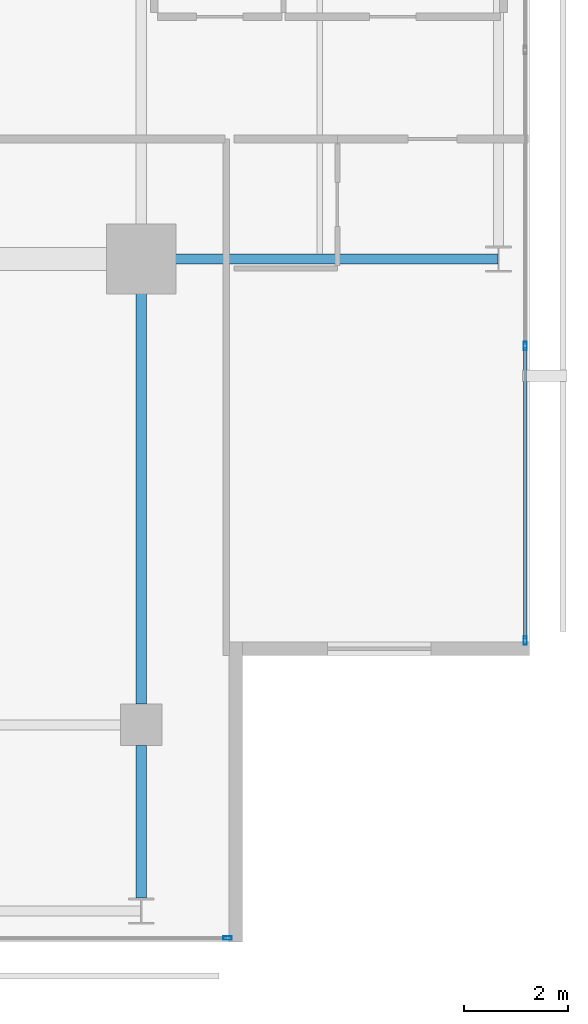
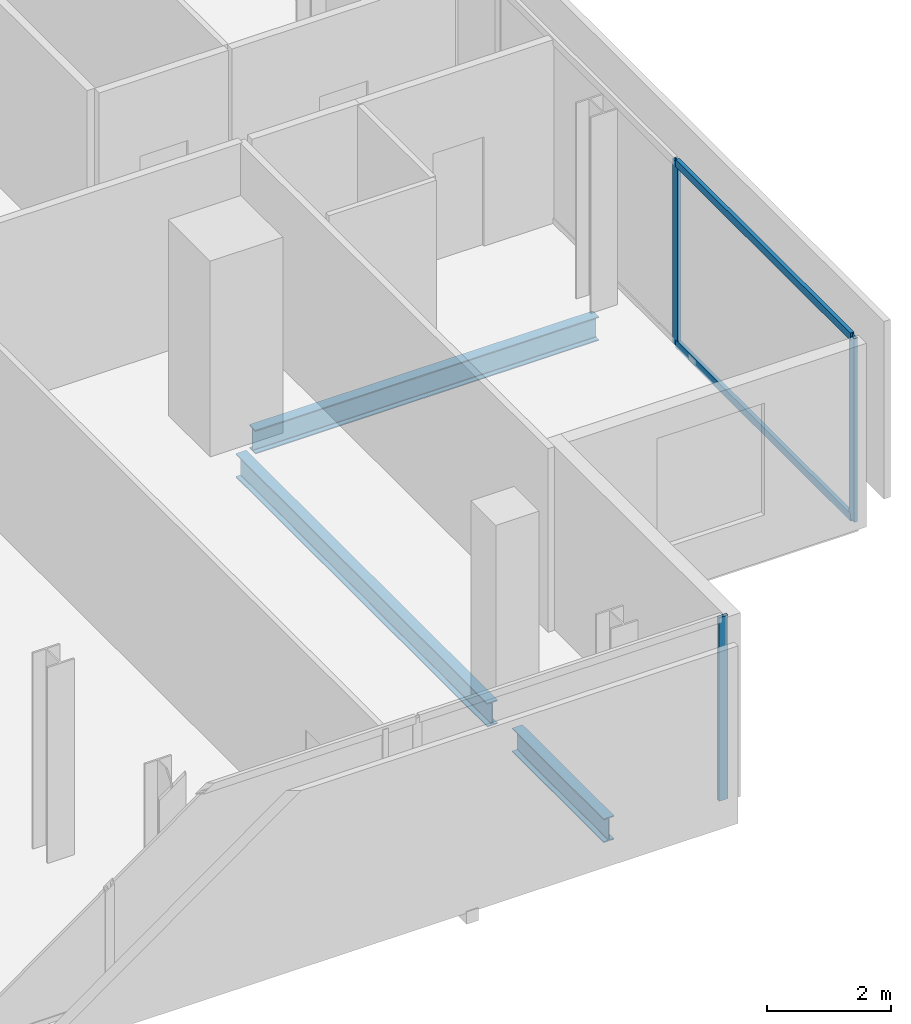
# One storey, part 11 of 23: 5 members, 3 beams, 2 elements without a shape of their own.
"""IFC4 building model written with IfcOpenShell, lengths in metres."""

from ifc_helpers import new_model, si_unit, direction, frame, origin, origin_2d, place, context, subcontext, project, spatial, hollow_rectangle, i_section, extrude, material, layer, layer_set, material_profile, profile_set, type_object, element, aggregate, save


model = new_model("IFC4")

# Units and contexts
model_context = context("Model", 3, precision=1e-05, world=origin(), true_north=direction((0.0, 1.0)))
body_context = subcontext(model_context, "Body", "Model", "MODEL_VIEW")
ifc_project = project(units=[si_unit("LENGTHUNIT", "METRE"), si_unit("AREAUNIT", "SQUARE_METRE"), si_unit("VOLUMEUNIT", "CUBIC_METRE"), si_unit("PLANEANGLEUNIT", "RADIAN"), si_unit("MASSUNIT", "GRAM", prefix="KILO")], contexts=[model_context])

# Site, building, storey
site_placement = place(None, origin())
site = spatial("IfcSite", under=ifc_project, at=site_placement, CompositionType="ELEMENT")
building_placement = place(site_placement, origin())
building = spatial("IfcBuilding", under=site, at=building_placement, Name="Maruvema Waterfront Hotel and Observation Tower", CompositionType="ELEMENT")
storey_placement = place(building_placement, frame((0.0, 0.0, 337.39990234375)))
storey = spatial("IfcBuildingStorey", under=building, at=storey_placement, Name="L83", CompositionType="ELEMENT", Elevation=337.39990234375)

# Curtain wall, members
ifc_material_1 = material(Name="Anodised bronze aluminium and solar-control low-E IGU", Category="aluminium")
ifc_layer = layer(ifc_material_1, 0.159912109375, Name="Zone 4 Sky Residence Inner Curtain Wall System CW-05")
ifc_layer_set = layer_set([ifc_layer], Name="Anodised bronze aluminium and solar-control low-E IGU")
curtain_wall_type = type_object("IfcCurtainWallType", Name="Zone 4 Sky Residence Inner Curtain Wall System CW-05", PredefinedType="USERDEFINED", material=ifc_layer_set)
curtain_wall_1_placement = place(storey_placement, origin())
curtain_wall_1 = element("IfcCurtainWall", 1, at=curtain_wall_1_placement, inside=storey, type_object=curtain_wall_type, Name="L83 Curtain Wall CW-L83-E", ObjectType="UNITISED CURTAIN WALL", PredefinedType="USERDEFINED")
ifc_material_2 = material(Name="Anodised architectural bronze aluminium", Category="aluminium")
ifc_material_profile_1 = material_profile(ifc_material_2, hollow_rectangle(XDim=0.070068359375, YDim=0.14990234375, WallThickness=0.00390625, at=origin_2d()), Name="ALU-T70x150")
ifc_profile_set_1 = profile_set([ifc_material_profile_1], Name="Anodised architectural bronze aluminium")
member_type_1 = type_object("IfcMemberType", Name="Curtain Wall Horizontal Transom ALU-T70x150", PredefinedType="USERDEFINED", material=ifc_profile_set_1)
member_1_placement = place(storey_placement, frame((57.820068359375, 19.659912109375, 0.030029296875), z_axis=(0.0, 1.0, 0.0), x_axis=(-1.0, 0.0, 0.0)))
member_1 = element("IfcMember", 2, at=member_1_placement, type_object=member_type_1, Name="CW-05 transom 1.1", ObjectType="TRANSOM", PredefinedType="USERDEFINED", context=body_context, shape_type="SweptSolid", body=[
    extrude(hollow_rectangle(XDim=0.070068359375, YDim=0.14990234375, WallThickness=0.00390625, at=origin_2d()), origin(), (0.0, 0.0, 1.0), 5.630126953125),
])
member_2_placement = place(storey_placement, frame((57.820068359375, 19.659912109375, 3.580078125), z_axis=(0.0, 1.0, 0.0), x_axis=(-1.0, 0.0, 0.0)))
member_2 = element("IfcMember", 3, at=member_2_placement, type_object=member_type_1, Name="CW-05 transom 1.2", ObjectType="TRANSOM", PredefinedType="USERDEFINED", context=body_context, shape_type="SweptSolid", body=[
    extrude(hollow_rectangle(XDim=0.070068359375, YDim=0.14990234375, WallThickness=0.00390625, at=origin_2d()), origin(), (0.0, 0.0, 1.0), 5.630126953125),
])

# Curtain wall, member
curtain_wall_2_placement = place(storey_placement, origin())
curtain_wall_2 = element("IfcCurtainWall", 4, at=curtain_wall_2_placement, inside=storey, type_object=curtain_wall_type, Name="L83 Curtain Wall CW-L83-S", ObjectType="UNITISED CURTAIN WALL", PredefinedType="USERDEFINED")
ifc_material_3 = material(Name="Anodised architectural bronze aluminium", Category="aluminium")
ifc_material_profile_2 = material_profile(ifc_material_3, hollow_rectangle(XDim=0.06494140625, YDim=0.1650390625, WallThickness=0.00390625, at=origin_2d()), Name="ALU-M65x165")
ifc_profile_set_2 = profile_set([ifc_material_profile_2], Name="Anodised architectural bronze aluminium")
member_type_2 = type_object("IfcMemberType", Name="Curtain Wall Primary Mullion ALU-M65x165", PredefinedType="MULLION", material=ifc_profile_set_2)
member_3_placement = place(storey_placement, frame((52.070068359375, 13.8798828125, 0.0), z_axis=(0.0, 0.0, 1.0), x_axis=(0.0, 1.0, 0.0)))
member_3 = element("IfcMember", 5, at=member_3_placement, type_object=member_type_2, Name="CW-05 mullion 6", PredefinedType="MULLION", context=body_context, shape_type="SweptSolid", body=[
    extrude(hollow_rectangle(XDim=0.06494140625, YDim=0.1650390625, WallThickness=0.00390625, at=origin_2d()), origin(), (0.0, 0.0, 1.0), 3.610107421875),
])
aggregate(curtain_wall_2, [member_3])

# Member
member_4_placement = place(storey_placement, frame((57.820068359375, 19.6298828125, 0.0), z_axis=(0.0, 0.0, 1.0), x_axis=(-1.0, 0.0, 0.0)))
member_4 = element("IfcMember", 6, at=member_4_placement, type_object=member_type_2, Name="CW-05 mullion 1", PredefinedType="MULLION", context=body_context, shape_type="SweptSolid", body=[
    extrude(hollow_rectangle(XDim=0.06494140625, YDim=0.1650390625, WallThickness=0.00390625, at=origin_2d()), origin(), (0.0, 0.0, 1.0), 3.610107421875),
])

member_5_placement = place(storey_placement, frame((57.820068359375, 25.320068359375, 0.0), z_axis=(0.0, 0.0, 1.0), x_axis=(-1.0, 0.0, 0.0)))
member_5 = element("IfcMember", 7, at=member_5_placement, type_object=member_type_2, Name="CW-05 mullion 2", PredefinedType="MULLION", context=body_context, shape_type="SweptSolid", body=[
    extrude(hollow_rectangle(XDim=0.06494140625, YDim=0.1650390625, WallThickness=0.00390625, at=origin_2d()), origin(), (0.0, 0.0, 1.0), 3.610107421875),
])

aggregate(curtain_wall_1, [member_4, member_5, member_1, member_2])

# Beams
ifc_material_4 = material(Name="Steel ASTM A572 Grade 50", Category="steel")
ifc_material_profile_3 = material_profile(ifc_material_4, i_section(OverallWidth=0.194091796875, OverallDepth=0.468994140625, WebThickness=0.0126953125, FlangeThickness=0.0205078125, FilletRadius=0.014892578125, at=origin_2d()), Name="W460x106.0")
ifc_profile_set_3 = profile_set([ifc_material_profile_3], Name="Steel ASTM A572 Grade 50")
beam_type = type_object("IfcBeamType", Name="Primary Floor Girder W460x106.0", PredefinedType="BEAM", material=ifc_profile_set_3)
beam_1_placement = place(storey_placement, frame((50.89990234375, 27.0, -0.474365234375), z_axis=(1.0, 0.0, 0.0), x_axis=(0.0, 1.0, 0.0)))
element("IfcBeam", 8, at=beam_1_placement, inside=storey, type_object=beam_type, Name="L83 Floor Girder EW-09", PredefinedType="BEAM", context=body_context, shape_type="SweptSolid", body=[
    extrude(i_section(OverallWidth=0.194091796875, OverallDepth=0.468994140625, WebThickness=0.0126953125, FlangeThickness=0.0205078125, FilletRadius=0.014892578125, at=origin_2d()), origin(), (0.0, 0.0, 1.0), 6.38916015625),
])
beam_2_placement = place(storey_placement, frame((50.39990234375, 14.64990234375, -0.474365234375), z_axis=(0.0, 1.0, 0.0), x_axis=(-1.0, 0.0, 0.0)))
element("IfcBeam", 9, at=beam_2_placement, inside=storey, type_object=beam_type, Name="L83 Floor Girder NS-11", PredefinedType="BEAM", context=body_context, shape_type="SweptSolid", body=[
    extrude(i_section(OverallWidth=0.194091796875, OverallDepth=0.468994140625, WebThickness=0.0126953125, FlangeThickness=0.0205078125, FilletRadius=0.014892578125, at=origin_2d()), origin(), (0.0, 0.0, 1.0), 2.9501953125),
])
beam_3_placement = place(storey_placement, frame((50.39990234375, 18.39990234375, -0.474365234375), z_axis=(0.0, 1.0, 0.0), x_axis=(-1.0, 0.0, 0.0)))
element("IfcBeam", 10, at=beam_3_placement, inside=storey, type_object=beam_type, Name="L83 Floor Girder NS-12", PredefinedType="BEAM", context=body_context, shape_type="SweptSolid", body=[
    extrude(i_section(OverallWidth=0.194091796875, OverallDepth=0.468994140625, WebThickness=0.0126953125, FlangeThickness=0.0205078125, FilletRadius=0.014892578125, at=origin_2d()), origin(), (0.0, 0.0, 1.0), 8.10009765625),
])

save(model, "model.ifc")
